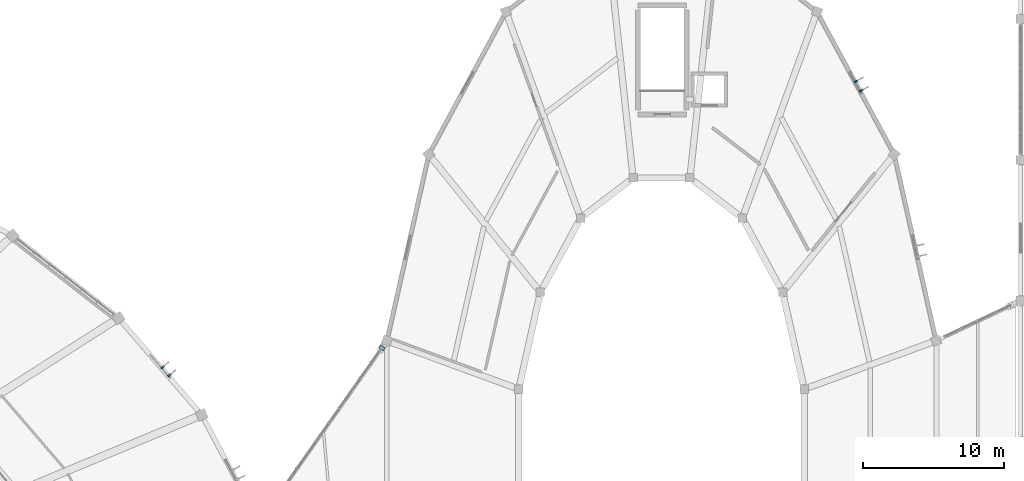
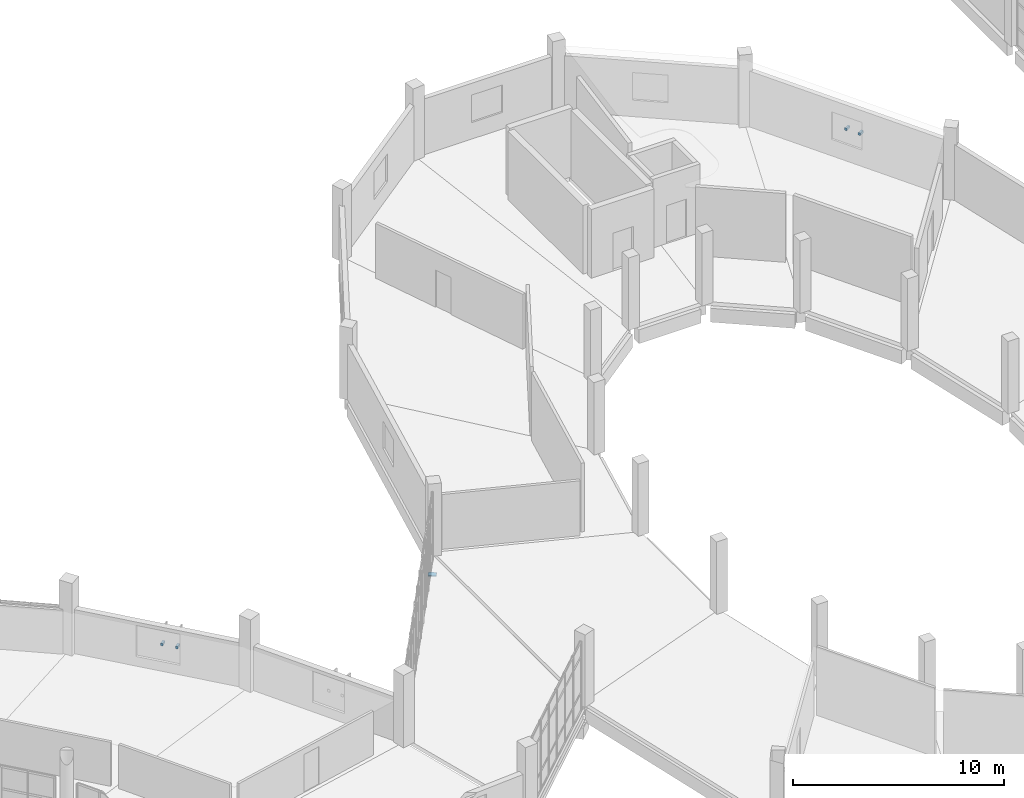
# One storey, part 118 of 142: 5 discrete accessories.
"""IFC4 building model written with IfcOpenShell, lengths in metres."""

from ifc_helpers import new_model, si_unit, direction, frame, origin, origin_2d, place, context, subcontext, project, spatial, rectangle, extrude, material, type_object, element, save


model = new_model("IFC4")

# Units and contexts
model_context = context("Model", 3, precision=1e-05, world=origin(), true_north=direction((0.0, 1.0)))
body_context = subcontext(model_context, "Body", "Model", "MODEL_VIEW")
ifc_project = project(units=[si_unit("LENGTHUNIT", "METRE"), si_unit("AREAUNIT", "SQUARE_METRE"), si_unit("VOLUMEUNIT", "CUBIC_METRE"), si_unit("PLANEANGLEUNIT", "RADIAN"), si_unit("MASSUNIT", "GRAM", prefix="KILO")], contexts=[model_context])

# Site, building, storey
site_placement = place(None, origin())
site = spatial("IfcSite", under=ifc_project, at=site_placement, CompositionType="ELEMENT")
building_placement = place(site_placement, origin())
building = spatial("IfcBuilding", under=site, at=building_placement, Name="Corvandel Quay Wholesale Market", CompositionType="ELEMENT")
storey_placement = place(building_placement, frame((0.0, 0.0, 10.800048828125)))
storey = spatial("IfcBuildingStorey", under=building, at=storey_placement, Name="L02", CompositionType="ELEMENT", Elevation=10.800048828125)

# Discrete accessories
ifc_material_1 = material(Name="Austenitic stainless steel Grade 316", Category="steel")
discrete_accessory_type_1 = type_object("IfcDiscreteAccessoryType", Name="Stainless Solar Fin Fixing Bracket BRK01", PredefinedType="USERDEFINED", material=ifc_material_1)
for number, where, z_axis, x_axis, name in (
    (1, (159.56201171875, 64.7158203125, 1.3798828125), (0.0, 0.0, 1.0), (0.758589401976, 0.651568967347, 0.0), "Fin Bracket 0026"),
    (2, (159.0732421875, 65.28466796875, 1.3798828125), (0.0, 0.0, 1.0), (0.758589401976, 0.651568967347, 0.0), "Fin Bracket 0027"),
    (3, (208.685791015625, 84.931884765625, 1.68017578125), (0.0, 0.0, 1.0), (0.879316310191, 0.476238203668, 0.0), "Fin Bracket 0626"),
    (4, (208.32861328125, 85.591552734375, 1.68017578125), (0.0, 0.0, 1.0), (0.879316310191, 0.476238203668, 0.0), "Fin Bracket 0627"),
):
    element("IfcDiscreteAccessory", number, at=place(storey_placement, frame(where, z_axis=z_axis, x_axis=x_axis)), inside=storey, type_object=discrete_accessory_type_1, Name=name, ObjectType="BRACKET", PredefinedType="USERDEFINED", context=body_context, shape_type="SweptSolid", body=[
        extrude(rectangle(XDim=0.280029296875, YDim=0.1201171875, at=origin_2d()), origin(), (0.0, 0.0, 1.0), 0.139892578125),
    ])
ifc_material_2 = material(Name="PTFE elastomeric bearing assembly")
discrete_accessory_type_2 = type_object("IfcDiscreteAccessoryType", Name="Unguided Bi-Directional PTFE Sliding Bearing SBG01", PredefinedType="USERDEFINED", material=ifc_material_2)
discrete_accessory_placement = place(storey_placement, frame((174.646240234375, 66.657958984375, -0.8720703125), z_axis=(0.0, 0.0, 1.0), x_axis=(0.575148037348, 0.818049347616, 0.0)))
element("IfcDiscreteAccessory", 5, at=discrete_accessory_placement, inside=storey, type_object=discrete_accessory_type_2, Name="PTFE Sliding Bearing SBG-016", ObjectType="SLIDING BEARING", PredefinedType="USERDEFINED", context=body_context, shape_type="SweptSolid", body=[
    extrude(rectangle(XDim=0.300048828125, YDim=0.39990234375, at=origin_2d()), origin(), (0.0, 0.0, 1.0), 0.0400390625),
])

save(model, "model.ifc")
